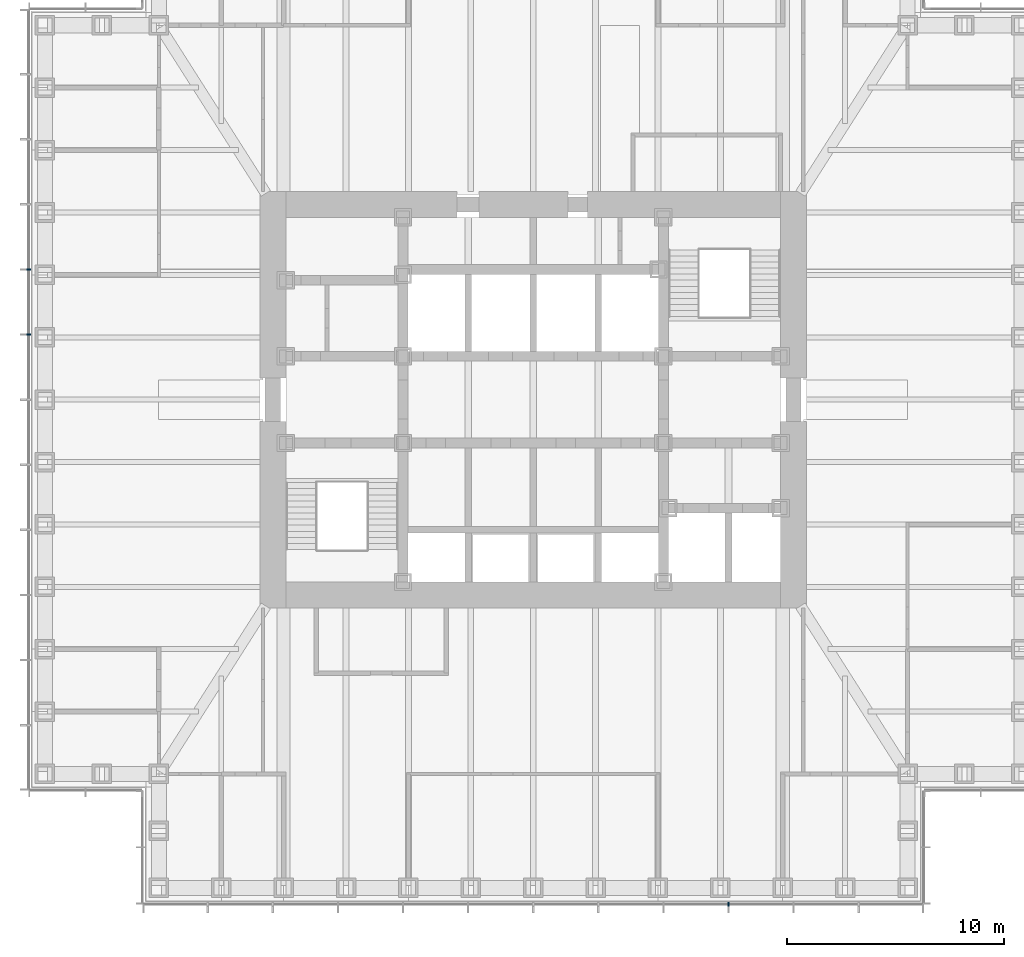
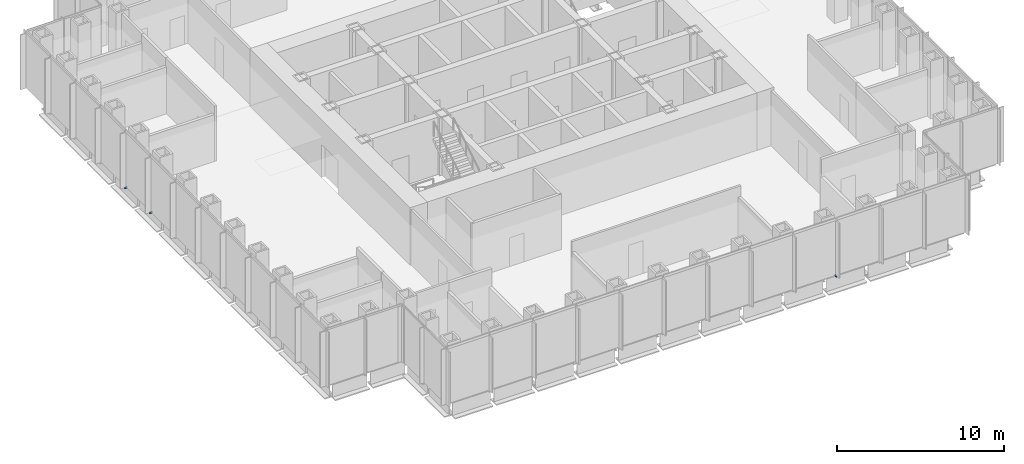
# One storey, part 13 of 17: 3 discrete accessories.
"""IFC4 building model written with IfcOpenShell, lengths in metres."""

from ifc_helpers import new_model, si_unit, direction, frame, origin, origin_2d, place, context, subcontext, project, spatial, rectangle, extrude, element, save


model = new_model("IFC4")

# Units and contexts
model_context = context("Model", 3, precision=1e-05, world=origin(), true_north=direction((0.0, 1.0)))
body_context = subcontext(model_context, "Body", "Model", "MODEL_VIEW")
ifc_project = project(units=[si_unit("LENGTHUNIT", "METRE"), si_unit("AREAUNIT", "SQUARE_METRE"), si_unit("VOLUMEUNIT", "CUBIC_METRE"), si_unit("PLANEANGLEUNIT", "RADIAN"), si_unit("MASSUNIT", "GRAM", prefix="KILO")], contexts=[model_context])

# Site, building, storey
site_placement = place(None, origin())
site = spatial("IfcSite", under=ifc_project, at=site_placement, CompositionType="ELEMENT")
building_placement = place(site_placement, origin())
building = spatial("IfcBuilding", under=site, at=building_placement, Name="Daluyong Arena Tower", CompositionType="ELEMENT")
storey_placement = place(building_placement, frame((0.0, 0.0, 145.89990234375)))
storey = spatial("IfcBuildingStorey", under=building, at=storey_placement, Name="L32", CompositionType="ELEMENT", Elevation=145.89990234375)

# Discrete accessories
for number, where, z_axis, x_axis, name in (
    (1, (65.0, 56.75, -0.099853515625), (0.0, 0.0, 1.0), (1.0, 0.0, 0.0), "curtain wall L32 S anchor bracket 10"),
    (2, (32.75, 86.0, -0.099853515625), (0.0, 0.0, 1.0), (0.0, -1.0, 0.0), "curtain wall L32 W anchor bracket 5"),
    (3, (32.75, 83.0, -0.099853515625), (0.0, 0.0, 1.0), (0.0, -1.0, 0.0), "curtain wall L32 W anchor bracket 6"),
):
    element("IfcDiscreteAccessory", number, at=place(storey_placement, frame(where, z_axis=z_axis, x_axis=x_axis)), inside=storey, Name=name, PredefinedType="BRACKET", context=body_context, shape_type="SweptSolid", body=[
        extrude(rectangle(XDim=0.080078125, YDim=0.199951171875, at=origin_2d()), origin(), (0.0, 0.0, 1.0), 0.10009765625),
    ])

save(model, "model.ifc")
